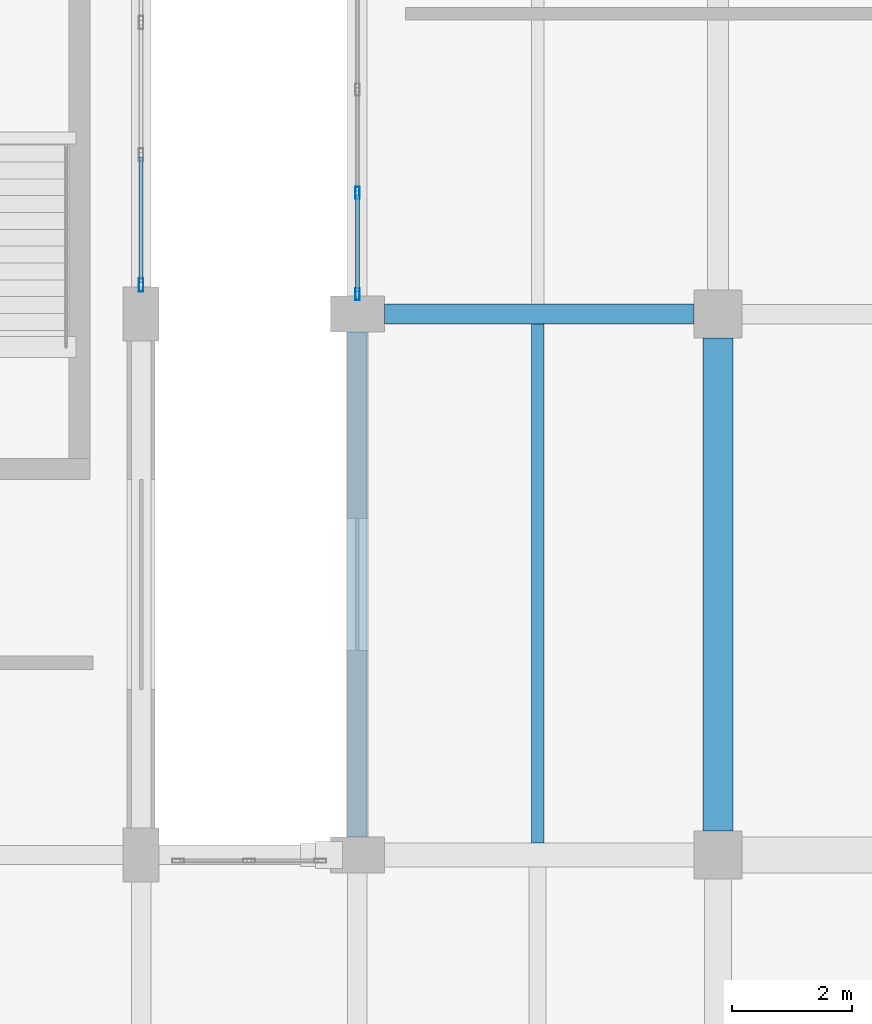
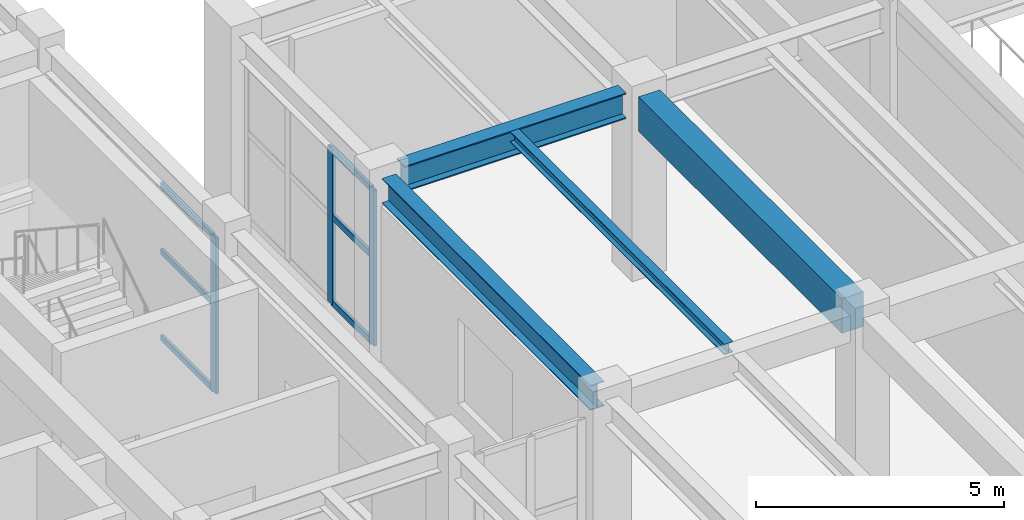
# One storey, part 41 of 96: 9 members, 4 beams, 2 elements without a shape of their own.
"""IFC4 building model written with IfcOpenShell, lengths in metres."""

from ifc_helpers import new_model, si_unit, direction, frame, origin, origin_2d, place, context, subcontext, project, spatial, rectangle, hollow_rectangle, i_section, extrude, material, layer, layer_set, material_profile, profile_set, type_object, element, aggregate, save


model = new_model("IFC4")

# Units and contexts
model_context = context("Model", 3, precision=1e-05, world=origin(), true_north=direction((0.0, 1.0)))
body_context = subcontext(model_context, "Body", "Model", "MODEL_VIEW")
ifc_project = project(units=[si_unit("LENGTHUNIT", "METRE"), si_unit("AREAUNIT", "SQUARE_METRE"), si_unit("VOLUMEUNIT", "CUBIC_METRE"), si_unit("PLANEANGLEUNIT", "RADIAN"), si_unit("MASSUNIT", "GRAM", prefix="KILO")], contexts=[model_context])

# Site, building, storey
site_placement = place(None, origin())
site = spatial("IfcSite", under=ifc_project, at=site_placement, CompositionType="ELEMENT")
building_placement = place(site_placement, origin())
building = spatial("IfcBuilding", under=site, at=building_placement, Name="Vaelkrest Opera House", CompositionType="ELEMENT")
storey_placement = place(building_placement, frame((0.0, 0.0, 5.39990234375)))
storey = spatial("IfcBuildingStorey", under=building, at=storey_placement, Name="L01", CompositionType="ELEMENT", Elevation=5.39990234375)

# Beams
ifc_material_1 = material(Name="Concrete C50/60", Category="concrete")
ifc_material_profile_1 = material_profile(ifc_material_1, rectangle(XDim=0.5, YDim=0.85009765625, at=origin_2d()), Name="RCB500X850")
ifc_profile_set_1 = profile_set([ifc_material_profile_1], Name="Concrete C50/60")
beam_type_1 = type_object("IfcBeamType", Name="B03", PredefinedType="BEAM", material=ifc_profile_set_1)
beam_1_placement = place(storey_placement, frame((-24.0, 1.60009765625, 4.0751953125), z_axis=(0.0, 1.0, 0.0), x_axis=(-1.0, 0.0, 0.0)))
element("IfcBeam", 1, at=beam_1_placement, inside=storey, type_object=beam_type_1, Name="Beam BM-V1-L01-0268", PredefinedType="BEAM", context=body_context, shape_type="SweptSolid", body=[
    extrude(rectangle(XDim=0.5, YDim=0.85009765625, at=origin_2d()), origin(), (0.0, 0.0, 1.0), 8.199951171875),
])
ifc_material_2 = material(Name="Steel A992 Gr50", Category="steel")
ifc_material_profile_2 = material_profile(ifc_material_2, i_section(OverallWidth=0.327880859375, OverallDepth=0.6279296875, WebThickness=0.0166015625, FlangeThickness=0.027587890625, at=origin_2d()), Name="W24X146")
ifc_profile_set_2 = profile_set([ifc_material_profile_2], Name="Steel A992 Gr50")
beam_type_2 = type_object("IfcBeamType", Name="B09", PredefinedType="BEAM", material=ifc_profile_set_2)
beam_2_placement = place(storey_placement, frame((-29.550048828125, 10.199951171875, 4.18603515625), z_axis=(1.0, 0.0, 0.0), x_axis=(0.0, 1.0, 0.0)))
element("IfcBeam", 2, at=beam_2_placement, inside=storey, type_object=beam_type_2, Name="Beam BM-V1-L01-0242", PredefinedType="BEAM", context=body_context, shape_type="SweptSolid", body=[
    extrude(i_section(OverallWidth=0.327880859375, OverallDepth=0.6279296875, WebThickness=0.0166015625, FlangeThickness=0.027587890625, at=origin_2d()), origin(), (0.0, 0.0, 1.0), 5.150146484375),
])

# Curtain wall, members
ifc_material_3 = material(Name="Dark bronze anodized aluminium", Category="aluminium")
ifc_layer_1 = layer(ifc_material_3, 0.18994140625)
ifc_layer_set_1 = layer_set([ifc_layer_1], Name="Dark bronze anodized aluminium")
curtain_wall_type_1 = type_object("IfcCurtainWallType", Name="CW02", PredefinedType="NOTDEFINED", material=ifc_layer_set_1)
curtain_wall_1_placement = place(storey_placement, origin())
curtain_wall_1 = element("IfcCurtainWall", 3, at=curtain_wall_1_placement, inside=storey, type_object=curtain_wall_type_1, Name="Curtain wall CW-L01-027", PredefinedType="NOTDEFINED")
ifc_material_profile_3 = material_profile(ifc_material_3, hollow_rectangle(XDim=0.070068359375, YDim=0.199951171875, WallThickness=0.004150390625, at=origin_2d()), Name="CWM70X200")
ifc_profile_set_3 = profile_set([ifc_material_profile_3], Name="Dark bronze anodized aluminium")
member_type_1 = type_object("IfcMemberType", Name="CWM02", PredefinedType="MULLION", material=ifc_profile_set_3)
member_1_placement = place(storey_placement, frame((-30.0, 10.532958984375, 0.0), z_axis=(0.0, 0.0, 1.0), x_axis=(-1.0, 0.0, 0.0)))
member_1 = element("IfcMember", 4, at=member_1_placement, type_object=member_type_1, Name="CW02 mullion 1", PredefinedType="MULLION", context=body_context, shape_type="SweptSolid", body=[
    extrude(hollow_rectangle(XDim=0.070068359375, YDim=0.199951171875, WallThickness=0.004150390625, at=origin_2d()), origin(), (0.0, 0.0, 1.0), 3.82421875),
])
member_2_placement = place(storey_placement, frame((-30.0, 12.216064453125, 0.0), z_axis=(0.0, 0.0, 1.0), x_axis=(-1.0, 0.0, 0.0)))
member_2 = element("IfcMember", 5, at=member_2_placement, type_object=member_type_1, Name="CW02 mullion 2", PredefinedType="MULLION", context=body_context, shape_type="SweptSolid", body=[
    extrude(hollow_rectangle(XDim=0.070068359375, YDim=0.199951171875, WallThickness=0.004150390625, at=origin_2d()), origin(), (0.0, 0.0, 1.0), 3.82421875),
])

ifc_layer_2 = layer(ifc_material_3, 0.239990234375)
ifc_layer_set_2 = layer_set([ifc_layer_2], Name="Dark bronze anodized aluminium")
curtain_wall_type_2 = type_object("IfcCurtainWallType", Name="CW07", PredefinedType="NOTDEFINED", material=ifc_layer_set_2)
curtain_wall_2_placement = place(storey_placement, origin())
curtain_wall_2 = element("IfcCurtainWall", 6, at=curtain_wall_2_placement, inside=storey, type_object=curtain_wall_type_2, Name="Curtain wall CW-L01-111", PredefinedType="NOTDEFINED")
ifc_material_profile_4 = material_profile(ifc_material_3, hollow_rectangle(XDim=0.074951171875, YDim=0.219970703125, WallThickness=0.00439453125, at=origin_2d()), Name="CWM75X220")
ifc_profile_set_4 = profile_set([ifc_material_profile_4], Name="Dark bronze anodized aluminium")
member_type_2 = type_object("IfcMemberType", Name="CWM03", PredefinedType="MULLION", material=ifc_profile_set_4)
member_3_placement = place(storey_placement, frame((-33.60009765625, 10.685546875, 0.0), z_axis=(0.0, 0.0, 1.0), x_axis=(1.0, 0.0, 0.0)))
member_3 = element("IfcMember", 7, at=member_3_placement, type_object=member_type_2, Name="CW07 mullion 4", PredefinedType="MULLION", context=body_context, shape_type="SweptSolid", body=[
    extrude(hollow_rectangle(XDim=0.074951171875, YDim=0.219970703125, WallThickness=0.00439453125, at=origin_2d()), origin(), (0.0, 0.0, 1.0), 3.82421875),
])
ifc_material_profile_5 = material_profile(ifc_material_3, hollow_rectangle(XDim=0.06494140625, YDim=0.139892578125, WallThickness=0.00390625, at=origin_2d()), Name="CWT65X140")
ifc_profile_set_5 = profile_set([ifc_material_profile_5], Name="Dark bronze anodized aluminium")
member_type_3 = type_object("IfcMemberType", Name="CWT01", PredefinedType="USERDEFINED", material=ifc_profile_set_5)
member_4_placement = place(storey_placement, frame((-33.60009765625, 12.811767578125, 0.03271484375), z_axis=(0.0, -1.0, 0.0), x_axis=(1.0, 0.0, 0.0)))
member_4 = element("IfcMember", 8, at=member_4_placement, type_object=member_type_3, Name="CW07 transom 3.1", ObjectType="TRANSOM", PredefinedType="USERDEFINED", context=body_context, shape_type="SweptSolid", body=[
    extrude(hollow_rectangle(XDim=0.06494140625, YDim=0.139892578125, WallThickness=0.00390625, at=origin_2d()), origin(), (0.0, 0.0, 1.0), 2.0888671875),
])
member_5_placement = place(storey_placement, frame((-33.60009765625, 12.811767578125, 2.150146484375), z_axis=(0.0, -1.0, 0.0), x_axis=(1.0, 0.0, 0.0)))
member_5 = element("IfcMember", 9, at=member_5_placement, type_object=member_type_3, Name="CW07 transom 3.2", ObjectType="TRANSOM", PredefinedType="USERDEFINED", context=body_context, shape_type="SweptSolid", body=[
    extrude(hollow_rectangle(XDim=0.06494140625, YDim=0.139892578125, WallThickness=0.00390625, at=origin_2d()), origin(), (0.0, 0.0, 1.0), 2.0888671875),
])
member_6_placement = place(storey_placement, frame((-33.60009765625, 12.811767578125, 3.79150390625), z_axis=(0.0, -1.0, 0.0), x_axis=(1.0, 0.0, 0.0)))
member_6 = element("IfcMember", 10, at=member_6_placement, type_object=member_type_3, Name="CW07 transom 3.3", ObjectType="TRANSOM", PredefinedType="USERDEFINED", context=body_context, shape_type="SweptSolid", body=[
    extrude(hollow_rectangle(XDim=0.06494140625, YDim=0.139892578125, WallThickness=0.00390625, at=origin_2d()), origin(), (0.0, 0.0, 1.0), 2.0888671875),
])
aggregate(curtain_wall_2, [member_3, member_4, member_5, member_6])

# Member
ifc_material_profile_6 = material_profile(ifc_material_3, hollow_rectangle(XDim=0.070068359375, YDim=0.14990234375, WallThickness=0.004150390625, at=origin_2d()), Name="CWT70X150")
ifc_profile_set_6 = profile_set([ifc_material_profile_6], Name="Dark bronze anodized aluminium")
member_type_4 = type_object("IfcMemberType", Name="CWT02", PredefinedType="USERDEFINED", material=ifc_profile_set_6)
member_7_placement = place(storey_placement, frame((-30.0, 10.568115234375, 0.03515625), z_axis=(0.0, 1.0, 0.0), x_axis=(-1.0, 0.0, 0.0)))
member_7 = element("IfcMember", 11, at=member_7_placement, type_object=member_type_4, Name="CW02 transom 1.1", ObjectType="TRANSOM", PredefinedType="USERDEFINED", context=body_context, shape_type="SweptSolid", body=[
    extrude(hollow_rectangle(XDim=0.070068359375, YDim=0.14990234375, WallThickness=0.004150390625, at=origin_2d()), origin(), (0.0, 0.0, 1.0), 1.61279296875),
])

member_8_placement = place(storey_placement, frame((-30.0, 10.568115234375, 2.150146484375), z_axis=(0.0, 1.0, 0.0), x_axis=(-1.0, 0.0, 0.0)))
member_8 = element("IfcMember", 12, at=member_8_placement, type_object=member_type_4, Name="CW02 transom 1.2", ObjectType="TRANSOM", PredefinedType="USERDEFINED", context=body_context, shape_type="SweptSolid", body=[
    extrude(hollow_rectangle(XDim=0.070068359375, YDim=0.14990234375, WallThickness=0.004150390625, at=origin_2d()), origin(), (0.0, 0.0, 1.0), 1.61279296875),
])

member_9_placement = place(storey_placement, frame((-30.0, 10.568115234375, 3.7890625), z_axis=(0.0, 1.0, 0.0), x_axis=(-1.0, 0.0, 0.0)))
member_9 = element("IfcMember", 13, at=member_9_placement, type_object=member_type_4, Name="CW02 transom 1.3", ObjectType="TRANSOM", PredefinedType="USERDEFINED", context=body_context, shape_type="SweptSolid", body=[
    extrude(hollow_rectangle(XDim=0.070068359375, YDim=0.14990234375, WallThickness=0.004150390625, at=origin_2d()), origin(), (0.0, 0.0, 1.0), 1.61279296875),
])

aggregate(curtain_wall_1, [member_1, member_2, member_7, member_8, member_9])

# Beams
ifc_material_profile_7 = material_profile(ifc_material_2, i_section(OverallWidth=0.2041015625, OverallDepth=0.257080078125, WebThickness=0.0087890625, FlangeThickness=0.015625, at=origin_2d()), Name="W10X45")
ifc_profile_set_7 = profile_set([ifc_material_profile_7], Name="Steel A992 Gr50")
beam_type_3 = type_object("IfcBeamType", Name="J01", PredefinedType="JOIST", material=ifc_profile_set_7)
beam_3_placement = place(storey_placement, frame((-27.0, 1.39990234375, 4.37158203125), z_axis=(0.0, 1.0, 0.0), x_axis=(-1.0, 0.0, 0.0)))
element("IfcBeam", 14, at=beam_3_placement, inside=storey, type_object=beam_type_3, Name="Floor joist JST-V1-L01-0301", PredefinedType="JOIST", context=body_context, shape_type="SweptSolid", body=[
    extrude(i_section(OverallWidth=0.2041015625, OverallDepth=0.257080078125, WebThickness=0.0087890625, FlangeThickness=0.015625, at=origin_2d()), origin(), (0.0, 0.0, 1.0), 8.635986328125),
])
ifc_material_profile_8 = material_profile(ifc_material_2, i_section(OverallWidth=0.323974609375, OverallDepth=0.611083984375, WebThickness=0.0126953125, FlangeThickness=0.01904296875, at=origin_2d()), Name="W24X104")
ifc_profile_set_8 = profile_set([ifc_material_profile_8], Name="Steel A992 Gr50")
beam_type_4 = type_object("IfcBeamType", Name="SP01", PredefinedType="SPANDREL", material=ifc_profile_set_8)
beam_4_placement = place(storey_placement, frame((-30.0, 1.5, 4.194580078125), z_axis=(0.0, 1.0, 0.0), x_axis=(-1.0, 0.0, 0.0)))
element("IfcBeam", 15, at=beam_4_placement, inside=storey, type_object=beam_type_4, Name="Beam BM-V1-L01-0263", PredefinedType="SPANDREL", context=body_context, shape_type="SweptSolid", body=[
    extrude(i_section(OverallWidth=0.323974609375, OverallDepth=0.611083984375, WebThickness=0.0126953125, FlangeThickness=0.01904296875, at=origin_2d()), origin(), (0.0, 0.0, 1.0), 8.39990234375),
])

save(model, "model.ifc")
